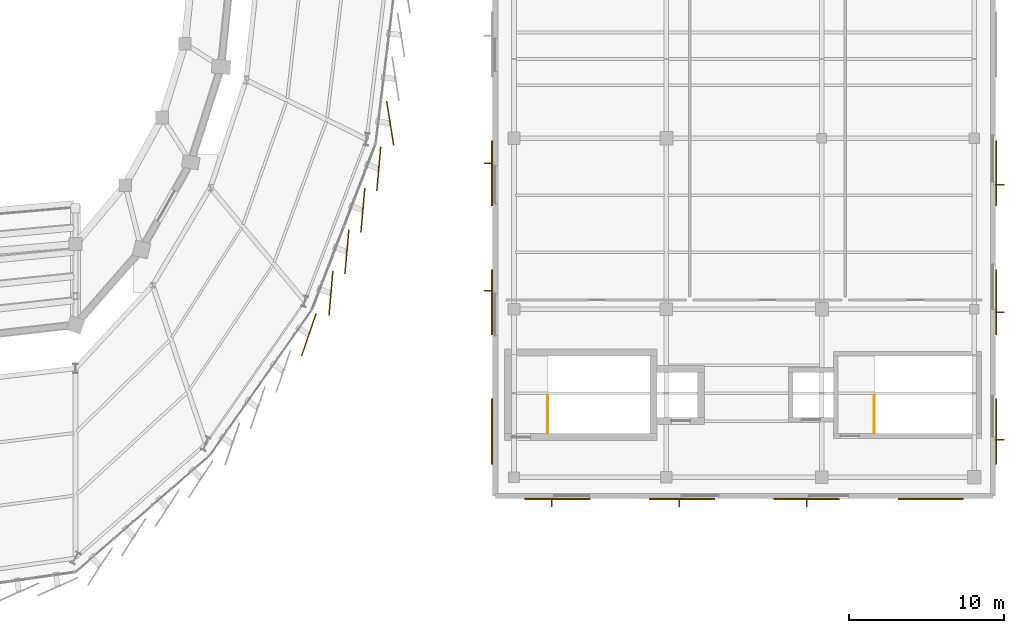
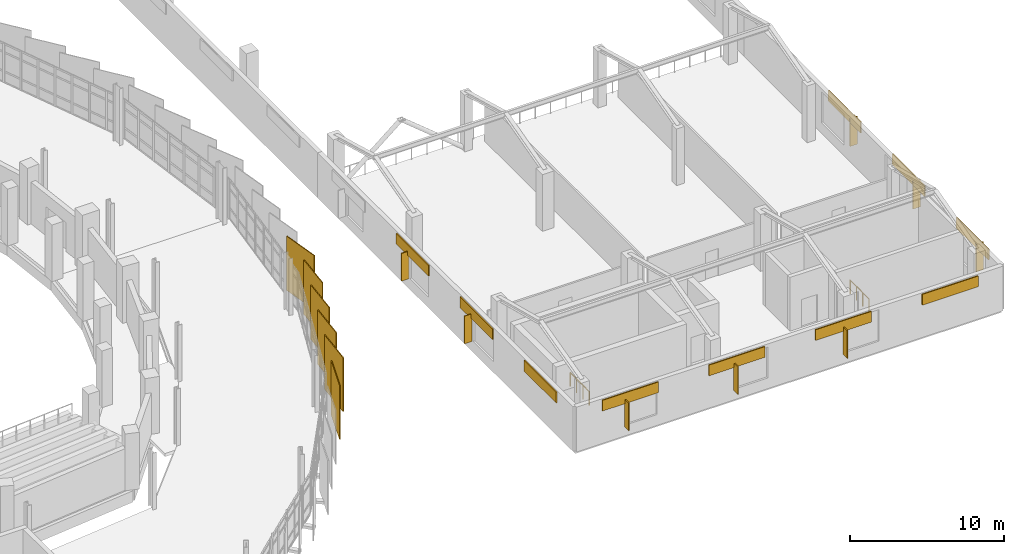
# One storey, part 117 of 120: 16 coverings, 8 shading devices, 2 railings.
"""IFC4 building model written with IfcOpenShell, lengths in metres."""

import ifcopenshell
import ifcopenshell.guid

model = None  # the IFC model being written
_history = None  # IfcOwnerHistory: only IFC2X3 demands one
_inside = {}  # id of a spatial element -> (the spatial element, [elements in it])
_under = {}  # id of a project, library or spatial element -> (it, [spatial elements below it])
_declared = {}  # id of a project -> (the project, [libraries it declares])
_typed = {}  # id of a type object -> (the type object, [elements of that type])
_made_of = {}  # id of a material, layer set ... -> (it, [elements and type objects made of it])


def new_model(schema):
    """Start an empty IFC model of exactly this schema.

    Asked for "IFC4X3", IfcOpenShell would pick the latest addendum, in which some entities
    have other attributes; the version numbers below select the first issue.
    IFC2X3 requires an IfcOwnerHistory on every rooted entity: one is made here for all.
    """
    global model, _history
    if schema == "IFC4X3":
        model = ifcopenshell.file(schema_version=(4, 3, 0, 0))
    else:
        model = ifcopenshell.file(schema=schema)
    _inside.clear()
    _under.clear()
    _declared.clear()
    _typed.clear()
    _made_of.clear()
    _history = None
    if model.schema == "IFC2X3":
        org = make("IfcOrganization", Name="unknown")
        user = make(
            "IfcPersonAndOrganization",
            ThePerson=make("IfcPerson", FamilyName="unknown"),
            TheOrganization=org,
        )
        app = make(
            "IfcApplication",
            ApplicationDeveloper=org,
            Version="unknown",
            ApplicationFullName="unknown",
            ApplicationIdentifier="unknown",
        )
        _history = make(
            "IfcOwnerHistory",
            OwningUser=user,
            OwningApplication=app,
            ChangeAction="ADDED",
            CreationDate=0,
        )
    return model


def make(cls, **values):
    """One entity of the class cls with the attributes given. An attribute that is None is left unset."""
    return model.create_entity(
        cls, **{name: value for name, value in values.items() if value is not None}
    )


def rooted(cls, **values):
    """An entity with a GlobalId (a new one), such as an element, a storey or a relation."""
    return make(cls, GlobalId=ifcopenshell.guid.new(), OwnerHistory=_history, **values)


def si_unit(unit_type, name, prefix=None):
    """IfcSIUnit, for example si_unit("LENGTHUNIT", "METRE", prefix="MILLI")."""
    return make("IfcSIUnit", UnitType=unit_type, Prefix=prefix, Name=name)


def assignment(units):
    """IfcUnitAssignment: the units of a project."""
    return None if units is None else make("IfcUnitAssignment", Units=units)


def point(xyz):
    """IfcCartesianPoint."""
    return None if xyz is None else make("IfcCartesianPoint", Coordinates=xyz)


def direction(xyz):
    """IfcDirection."""
    return None if xyz is None else make("IfcDirection", DirectionRatios=xyz)


def frame(location, z_axis=None, x_axis=None):
    """IfcAxis2Placement3D, a coordinate frame: its origin and axes. An axis left out is left unset."""
    return make(
        "IfcAxis2Placement3D",
        Location=point(location),
        Axis=direction(z_axis),
        RefDirection=direction(x_axis),
    )


def frame_2d(location, x_axis=None):
    """IfcAxis2Placement2D, a coordinate frame in the plane: its origin and x axis."""
    return make(
        "IfcAxis2Placement2D", Location=point(location), RefDirection=direction(x_axis)
    )


def origin():
    """The frame at (0, 0, 0) with its axes left unset."""
    return frame((0.0, 0.0, 0.0))


def origin_2d():
    """The frame at (0, 0) in the plane with its x axis left unset."""
    return frame_2d((0.0, 0.0))


def place(relative_to, where):
    """IfcLocalPlacement: puts the frame where relative to a parent placement (None: the world)."""
    return make(
        "IfcLocalPlacement", PlacementRelTo=relative_to, RelativePlacement=where
    )


def context(
    kind, dimensions, precision=None, world=None, true_north=None, identifier=None
):
    """IfcGeometricRepresentationContext, for example the 3D "Model" context."""
    return make(
        "IfcGeometricRepresentationContext",
        ContextIdentifier=identifier,
        ContextType=kind,
        CoordinateSpaceDimension=dimensions,
        Precision=precision,
        WorldCoordinateSystem=world,
        TrueNorth=true_north,
    )


def subcontext(parent, identifier, kind, view, scale=None):
    """IfcGeometricRepresentationSubContext, for example "Body" below "Model"."""
    return make(
        "IfcGeometricRepresentationSubContext",
        ContextIdentifier=identifier,
        ContextType=kind,
        ParentContext=parent,
        TargetScale=scale,
        TargetView=view,
    )


def project(units=None, contexts=None):
    """IfcProject with its units and contexts."""
    return rooted(
        "IfcProject",
        Name="project",
        RepresentationContexts=contexts,
        UnitsInContext=assignment(units),
    )


def spatial(cls, under=None, at=None, **own):
    """A site, building, storey or space (cls), placed at a placement, below another one or the project."""
    s = rooted(cls, ObjectPlacement=at, **own)
    if under is not None:
        _under.setdefault(under.id(), (under, []))[1].append(s)
    return s


def profile(cls, at=None, kind="AREA", **sizes):
    """A parametric profile (cls). Its sizes go by their IFC names, for example OverallWidth=200.0."""
    return make(cls, ProfileType=kind, Position=at, **sizes)


def rectangle(**sizes):
    """IfcRectangleProfileDef."""
    return profile("IfcRectangleProfileDef", **sizes)


def circle(**sizes):
    """IfcCircleProfileDef."""
    return profile("IfcCircleProfileDef", **sizes)


def extrude(swept, where, along, depth):
    """IfcExtrudedAreaSolid: the profile swept, set in the frame where, extruded along a direction by depth."""
    return make(
        "IfcExtrudedAreaSolid",
        SweptArea=swept,
        Position=where,
        ExtrudedDirection=direction(along),
        Depth=depth,
    )


def shape(context_of_items, identifier, shape_type, items):
    """IfcShapeRepresentation: the items that make up one representation, for example the "Body"."""
    return make(
        "IfcShapeRepresentation",
        ContextOfItems=context_of_items,
        RepresentationIdentifier=identifier,
        RepresentationType=shape_type,
        Items=items,
    )


def material(Name=None, Category=None):
    """IfcMaterial."""
    return make("IfcMaterial", Name=Name, Category=Category)


def layer(
    of_material, thickness, ventilated=None, Name=None, Category=None, Priority=None
):
    """IfcMaterialLayer: one layer of a wall or slab, of a material (None: an air gap)."""
    return make(
        "IfcMaterialLayer",
        Material=of_material,
        LayerThickness=thickness,
        IsVentilated=ventilated,
        Name=Name,
        Category=Category,
        Priority=Priority,
    )


def layer_set(layers, Name=None):
    """IfcMaterialLayerSet."""
    return make("IfcMaterialLayerSet", MaterialLayers=layers, LayerSetName=Name)


def made_of(thing, what):
    """Note that an element or type object is made of a material, layer set ...; save() writes the relation."""
    if what is not None:
        _made_of.setdefault(what.id(), (what, []))[1].append(thing)
    return thing


def type_object(cls, material=None, **own):
    """A type object (cls), such as IfcWallType, which elements share."""
    return made_of(rooted(cls, **own), material)


def element(
    cls,
    number,
    at=None,
    inside=None,
    cuts=None,
    type_object=None,
    material=None,
    context=None,
    identifier="Body",
    shape_type=None,
    held_by="IfcProductDefinitionShape",
    body=None,
    shapes=None,
    **own,
):
    """One element of the class cls, such as IfcWall. Its Tag is "e" and its number.

    at: its placement. inside: the storey or other place that contains it. cuts: it is an
    opening in that element (IfcRelVoidsElement). A single representation is given by context,
    identifier, shape_type and body (its items); several are given by shapes. held_by: the class
    of the entity that holds the representations. save() writes the other relations.
    """
    e = rooted(cls, Tag="e%d" % number, ObjectPlacement=at, **own)
    if body is not None:
        shapes = [shape(context, identifier, shape_type, body)]
    if shapes is not None:
        e.Representation = make(held_by, Representations=shapes)
    if inside is not None:
        _inside.setdefault(inside.id(), (inside, []))[1].append(e)
    if cuts is not None:
        rooted(
            "IfcRelVoidsElement", RelatingBuildingElement=cuts, RelatedOpeningElement=e
        )
    if type_object is not None:
        _typed.setdefault(type_object.id(), (type_object, []))[1].append(e)
    return made_of(e, material)


def aggregate(whole, parts):
    """IfcRelAggregates: a whole, such as a stair, and the parts it consists of."""
    return rooted("IfcRelAggregates", RelatingObject=whole, RelatedObjects=parts)


def save(model, path):
    """Write the relations noted so far, then the file.

    IfcRelAggregates (storeys below a building ...), IfcRelContainedInSpatialStructure (elements
    in a storey), IfcRelDefinesByType, IfcRelAssociatesMaterial and IfcRelDeclares: one each for
    every whole, place, type object, material and project.
    """
    for whole, parts in _under.values():
        aggregate(whole, parts)
    for where, things in _inside.values():
        rooted(
            "IfcRelContainedInSpatialStructure",
            RelatedElements=things,
            RelatingStructure=where,
        )
    for kind, things in _typed.values():
        rooted("IfcRelDefinesByType", RelatedObjects=things, RelatingType=kind)
    for what, things in _made_of.values():
        rooted("IfcRelAssociatesMaterial", RelatedObjects=things, RelatingMaterial=what)
    for by, libraries in _declared.values():
        rooted("IfcRelDeclares", RelatingContext=by, RelatedDefinitions=libraries)
    model.write(path)


model = new_model("IFC4")

# Units and contexts
model_context = context("Model", 3, precision=1e-05, world=origin(), true_north=direction((0.0, 1.0)))
body_context = subcontext(model_context, "Body", "Model", "MODEL_VIEW")
ifc_project = project(units=[si_unit("LENGTHUNIT", "METRE"), si_unit("AREAUNIT", "SQUARE_METRE"), si_unit("VOLUMEUNIT", "CUBIC_METRE"), si_unit("PLANEANGLEUNIT", "RADIAN"), si_unit("MASSUNIT", "GRAM", prefix="KILO")], contexts=[model_context])

# Site, building, storey
site_placement = place(None, origin())
site = spatial("IfcSite", under=ifc_project, at=site_placement, CompositionType="ELEMENT")
building_placement = place(site_placement, origin())
building = spatial("IfcBuilding", under=site, at=building_placement, Name="Sohan Crest Arena", CompositionType="ELEMENT")
storey_placement = place(building_placement, frame((0.0, 0.0, 13.5)))
storey = spatial("IfcBuildingStorey", under=building, at=storey_placement, Name="L03", CompositionType="ELEMENT", Elevation=13.5)

# Railings
ifc_material_1 = material(Name="Powder-coated wrought steel balustrade", Category="steel")
railing_type = type_object("IfcRailingType", Name="ARC-GRD-01", PredefinedType="GUARDRAIL", material=ifc_material_1)
for number, where, name in (
    (1, (198.3701171875, 48.02001953125, 0.0), "Top stair landing well guard GRD-082"),
    (2, (219.3701171875, 48.02001953125, 0.0), "Top stair landing well guard GRD-086"),
):
    element("IfcRailing", number, at=place(storey_placement, frame(where)), inside=storey, type_object=railing_type, Name=name, PredefinedType="GUARDRAIL", context=body_context, shape_type="SweptSolid", body=[
        extrude(circle(Radius=0.02392578125, at=origin_2d()), frame((0.0, 0.0, 1.076171875), z_axis=(0.0, 1.0, 0.0), x_axis=(-1.0, 0.0, 0.0)), (0.0, 0.0, 1.0), 2.4599609375),
        extrude(circle(Radius=0.02099609375, at=origin_2d()), origin(), (0.0, 0.0, 1.0), 1.052001953125),
        extrude(circle(Radius=0.02099609375, at=origin_2d()), frame((0.0, 0.820068359375, 0.0)), (0.0, 0.0, 1.0), 1.052001953125),
        extrude(circle(Radius=0.02099609375, at=origin_2d()), frame((0.0, 1.639892578125, 0.0)), (0.0, 0.0, 1.0), 1.052001953125),
        extrude(circle(Radius=0.02099609375, at=origin_2d()), frame((0.0, 2.4599609375, 0.0)), (0.0, 0.0, 1.0), 1.052001953125),
    ])

# Shading devices
ifc_material_2 = material(Name="Glazed terracotta ceramic solar fin", Category="masonry")
ifc_layer_1 = layer(ifc_material_2, 0.070068359375, Name="Glazed terracotta ceramic solar fin")
ifc_layer_set_1 = layer_set([ifc_layer_1], Name="Glazed terracotta ceramic solar fin")
shading_device_type = type_object("IfcShadingDeviceType", Name="ARC-SHD-FIN1", PredefinedType="USERDEFINED", material=ifc_layer_set_1)
for number, where, z_axis, x_axis, name in (
    (3, (198.6201171875, 43.56494140625, 0.75), (0.0, 0.0, 1.0), (1.0, 0.0, 0.0), "Solar shading fin FIN-025"),
    (4, (206.820068359375, 43.56494140625, 0.75), (0.0, 0.0, 1.0), (1.0, 0.0, 0.0), "Solar shading fin FIN-026"),
    (5, (215.02001953125, 43.56494140625, 0.75), (0.0, 0.0, 1.0), (1.0, 0.0, 0.0), "Solar shading fin FIN-027"),
    (6, (227.43505859375, 47.6201171875, 0.75), (0.0, 0.0, 1.0), (0.0, 1.0, 0.0), "Solar shading fin FIN-028"),
    (7, (227.43505859375, 55.820068359375, 0.75), (0.0, 0.0, 1.0), (0.0, 1.0, 0.0), "Solar shading fin FIN-029"),
    (8, (227.43505859375, 64.02001953125, 0.75), (0.0, 0.0, 1.0), (0.0, 1.0, 0.0), "Solar shading fin FIN-030"),
    (9, (194.56494140625, 65.3798828125, 0.75), (0.0, 0.0, 1.0), (0.0, -1.0, 0.0), "Solar shading fin FIN-035"),
    (10, (194.56494140625, 57.179931640625, 0.75), (0.0, 0.0, 1.0), (0.0, -1.0, 0.0), "Solar shading fin FIN-036"),
):
    element("IfcShadingDevice", number, at=place(storey_placement, frame(where, z_axis=z_axis, x_axis=x_axis)), inside=storey, type_object=shading_device_type, Name=name, ObjectType="FIN", PredefinedType="USERDEFINED", context=body_context, shape_type="SweptSolid", body=[
        extrude(rectangle(XDim=0.070068359375, YDim=0.550048828125, at=origin_2d()), origin(), (0.0, 0.0, 1.0), 2.199951171875),
    ])

# Coverings
ifc_material_3 = material(Name="Honed dark basalt stone cladding", Category="masonry")
ifc_layer_2 = layer(ifc_material_3, 0.0849609375, Name="Honed dark basalt stone cladding")
ifc_layer_set_2 = layer_set([ifc_layer_2], Name="Honed dark basalt stone cladding")
covering_type_1 = type_object("IfcCoveringType", Name="COV-BAS", PredefinedType="CLADDING", material=ifc_layer_set_2)
for number, where, z_axis, x_axis, name in (
    (11, (199.0, 43.79296875, 2.625), (0.0, 0.0, 1.0), (1.0, 0.0, 0.0), "Dark basalt facade panel DB-0837"),
    (12, (207.0, 43.79296875, 2.625), (0.0, 0.0, 1.0), (1.0, 0.0, 0.0), "Dark basalt facade panel DB-0838"),
    (13, (215.0, 43.79296875, 2.625), (0.0, 0.0, 1.0), (1.0, 0.0, 0.0), "Dark basalt facade panel DB-0839"),
    (14, (223.0, 43.79296875, 2.625), (0.0, 0.0, 1.0), (1.0, 0.0, 0.0), "Dark basalt facade panel DB-0840"),
    (15, (227.20703125, 48.14990234375, 2.625), (0.0, 0.0, 1.0), (0.0, 1.0, 0.0), "Dark basalt facade panel DB-0841"),
    (16, (227.20703125, 56.449951171875, 2.625), (0.0, 0.0, 1.0), (0.0, 1.0, 0.0), "Dark basalt facade panel DB-0842"),
    (17, (227.20703125, 64.75, 2.625), (0.0, 0.0, 1.0), (0.0, 1.0, 0.0), "Dark basalt facade panel DB-0843"),
    (18, (194.79296875, 64.75, 2.625), (0.0, 0.0, 1.0), (0.0, -1.0, 0.0), "Dark basalt facade panel DB-0854"),
    (19, (194.79296875, 56.449951171875, 2.625), (0.0, 0.0, 1.0), (0.0, -1.0, 0.0), "Dark basalt facade panel DB-0855"),
    (20, (194.79296875, 48.14990234375, 2.625), (0.0, 0.0, 1.0), (0.0, -1.0, 0.0), "Dark basalt facade panel DB-0856"),
):
    element("IfcCovering", number, at=place(storey_placement, frame(where, z_axis=z_axis, x_axis=x_axis)), inside=storey, type_object=covering_type_1, Name=name, PredefinedType="CLADDING", context=body_context, shape_type="SweptSolid", body=[
        extrude(rectangle(XDim=4.199951171875, YDim=0.0849609375, at=origin_2d()), origin(), (0.0, 0.0, 1.0), 0.85009765625),
    ])
ifc_material_4 = material(Name="Glazed ivory trencadis ceramic cladding", Category="masonry")
ifc_layer_3 = layer(ifc_material_4, 0.06494140625, Name="Glazed ivory trencadis ceramic cladding")
ifc_layer_set_3 = layer_set([ifc_layer_3], Name="Glazed ivory trencadis ceramic cladding")
covering_type_2 = type_object("IfcCoveringType", Name="COV-SC-IV", PredefinedType="CLADDING", material=ifc_layer_set_3)
for number, where, z_axis, x_axis, name in (
    (21, (183.0048828125, 54.360107421875, -0.2001953125), (0.0, 0.0, 1.0), (0.325568154457, 0.945518575599, 0.0), "Rotated trencadis ceramic scale panel SC-0346"),
    (22, (184.425048828125, 57.029052734375, -0.2001953125), (0.0, 0.0, 1.0), (0.087155742748, 0.996194698092, 0.0), "Rotated trencadis ceramic scale panel SC-0347"),
    (23, (185.450927734375, 59.698974609375, -0.2001953125), (0.0, 0.0, 1.0), (0.087155742748, 0.996194698092, 0.0), "Rotated trencadis ceramic scale panel SC-0348"),
    (24, (186.47705078125, 62.368896484375, -0.2001953125), (0.0, 0.0, 1.0), (0.087155742748, 0.996194698092, 0.0), "Rotated trencadis ceramic scale panel SC-0349"),
    (25, (187.5029296875, 65.0390625, -0.2001953125), (0.0, 0.0, 1.0), (0.087155742748, 0.996194698092, 0.0), "Rotated trencadis ceramic scale panel SC-0350"),
    (26, (188.235107421875, 67.972900390625, -0.2001953125), (0.0, 0.0, 1.0), (-0.15643446504, 0.987688340595, 0.0), "Rotated trencadis ceramic scale panel SC-0351"),
):
    element("IfcCovering", number, at=place(storey_placement, frame(where, z_axis=z_axis, x_axis=x_axis)), inside=storey, type_object=covering_type_2, Name=name, PredefinedType="CLADDING", context=body_context, shape_type="SweptSolid", body=[
        extrude(rectangle(XDim=2.85009765625, YDim=0.06494140625, at=origin_2d()), origin(), (0.0, 0.0, 1.0), 4.300048828125),
    ])

save(model, "model.ifc")
